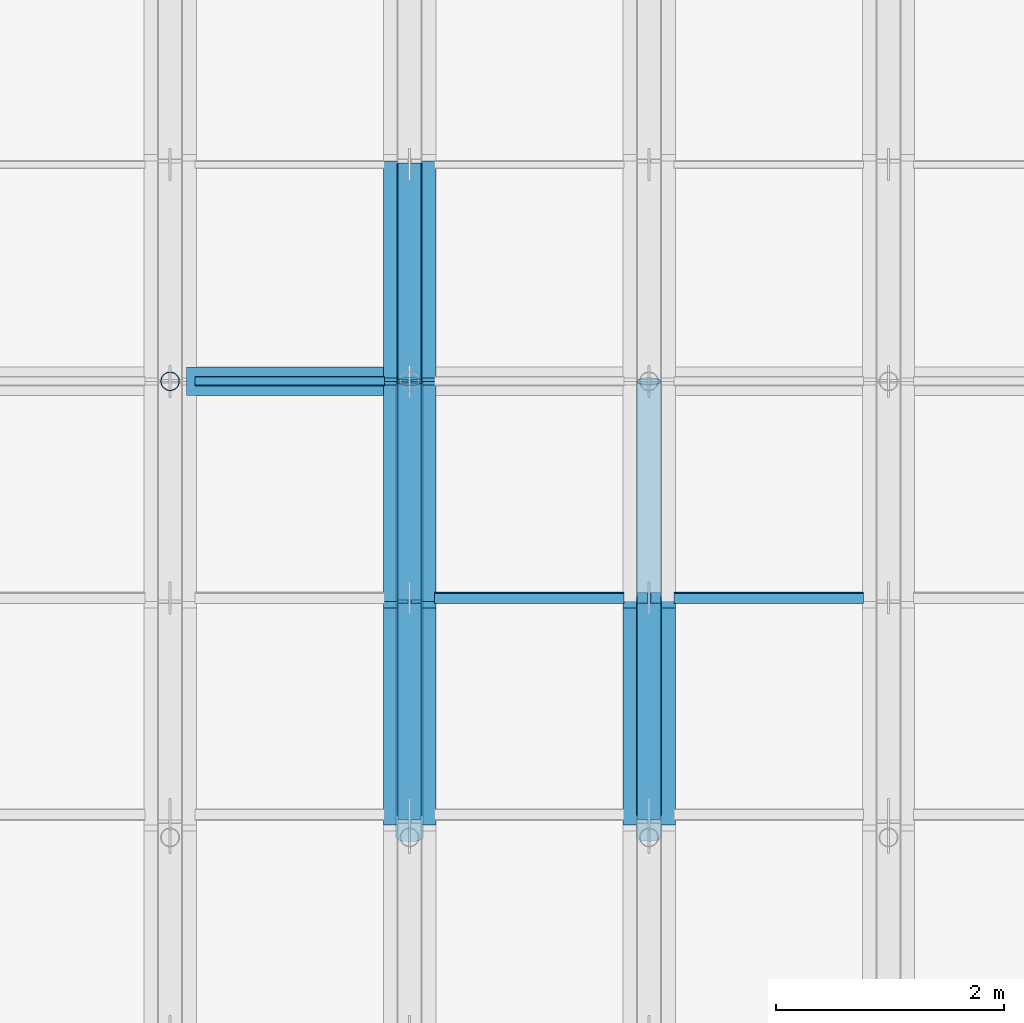
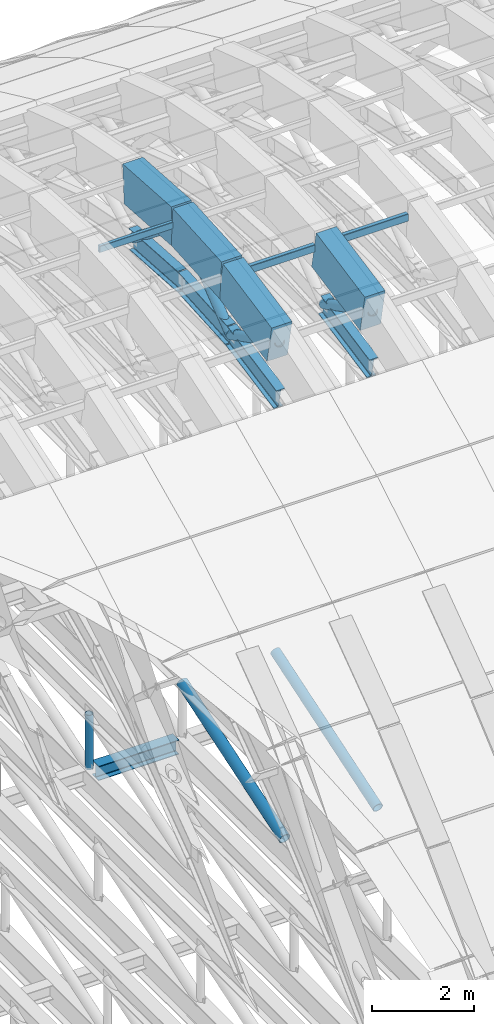
# One storey, part 24 of 67: 10 members, 9 beams.
"""IFC4 building model written with IfcOpenShell, lengths in metres."""

import ifcopenshell
import ifcopenshell.guid

model = None  # the IFC model being written
_history = None  # IfcOwnerHistory: only IFC2X3 demands one
_inside = {}  # id of a spatial element -> (the spatial element, [elements in it])
_under = {}  # id of a project, library or spatial element -> (it, [spatial elements below it])
_declared = {}  # id of a project -> (the project, [libraries it declares])
_typed = {}  # id of a type object -> (the type object, [elements of that type])
_made_of = {}  # id of a material, layer set ... -> (it, [elements and type objects made of it])


def new_model(schema):
    """Start an empty IFC model of exactly this schema.

    Asked for "IFC4X3", IfcOpenShell would pick the latest addendum, in which some entities
    have other attributes; the version numbers below select the first issue.
    IFC2X3 requires an IfcOwnerHistory on every rooted entity: one is made here for all.
    """
    global model, _history
    if schema == "IFC4X3":
        model = ifcopenshell.file(schema_version=(4, 3, 0, 0))
    else:
        model = ifcopenshell.file(schema=schema)
    _inside.clear()
    _under.clear()
    _declared.clear()
    _typed.clear()
    _made_of.clear()
    _history = None
    if model.schema == "IFC2X3":
        org = make("IfcOrganization", Name="unknown")
        user = make(
            "IfcPersonAndOrganization",
            ThePerson=make("IfcPerson", FamilyName="unknown"),
            TheOrganization=org,
        )
        app = make(
            "IfcApplication",
            ApplicationDeveloper=org,
            Version="unknown",
            ApplicationFullName="unknown",
            ApplicationIdentifier="unknown",
        )
        _history = make(
            "IfcOwnerHistory",
            OwningUser=user,
            OwningApplication=app,
            ChangeAction="ADDED",
            CreationDate=0,
        )
    return model


def make(cls, **values):
    """One entity of the class cls with the attributes given. An attribute that is None is left unset."""
    return model.create_entity(
        cls, **{name: value for name, value in values.items() if value is not None}
    )


def rooted(cls, **values):
    """An entity with a GlobalId (a new one), such as an element, a storey or a relation."""
    return make(cls, GlobalId=ifcopenshell.guid.new(), OwnerHistory=_history, **values)


def si_unit(unit_type, name, prefix=None):
    """IfcSIUnit, for example si_unit("LENGTHUNIT", "METRE", prefix="MILLI")."""
    return make("IfcSIUnit", UnitType=unit_type, Prefix=prefix, Name=name)


def assignment(units):
    """IfcUnitAssignment: the units of a project."""
    return None if units is None else make("IfcUnitAssignment", Units=units)


def point(xyz):
    """IfcCartesianPoint."""
    return None if xyz is None else make("IfcCartesianPoint", Coordinates=xyz)


def direction(xyz):
    """IfcDirection."""
    return None if xyz is None else make("IfcDirection", DirectionRatios=xyz)


def frame(location, z_axis=None, x_axis=None):
    """IfcAxis2Placement3D, a coordinate frame: its origin and axes. An axis left out is left unset."""
    return make(
        "IfcAxis2Placement3D",
        Location=point(location),
        Axis=direction(z_axis),
        RefDirection=direction(x_axis),
    )


def frame_2d(location, x_axis=None):
    """IfcAxis2Placement2D, a coordinate frame in the plane: its origin and x axis."""
    return make(
        "IfcAxis2Placement2D", Location=point(location), RefDirection=direction(x_axis)
    )


def origin():
    """The frame at (0, 0, 0) with its axes left unset."""
    return frame((0.0, 0.0, 0.0))


def origin_2d():
    """The frame at (0, 0) in the plane with its x axis left unset."""
    return frame_2d((0.0, 0.0))


def place(relative_to, where):
    """IfcLocalPlacement: puts the frame where relative to a parent placement (None: the world)."""
    return make(
        "IfcLocalPlacement", PlacementRelTo=relative_to, RelativePlacement=where
    )


def context(
    kind, dimensions, precision=None, world=None, true_north=None, identifier=None
):
    """IfcGeometricRepresentationContext, for example the 3D "Model" context."""
    return make(
        "IfcGeometricRepresentationContext",
        ContextIdentifier=identifier,
        ContextType=kind,
        CoordinateSpaceDimension=dimensions,
        Precision=precision,
        WorldCoordinateSystem=world,
        TrueNorth=true_north,
    )


def subcontext(parent, identifier, kind, view, scale=None):
    """IfcGeometricRepresentationSubContext, for example "Body" below "Model"."""
    return make(
        "IfcGeometricRepresentationSubContext",
        ContextIdentifier=identifier,
        ContextType=kind,
        ParentContext=parent,
        TargetScale=scale,
        TargetView=view,
    )


def project(units=None, contexts=None):
    """IfcProject with its units and contexts."""
    return rooted(
        "IfcProject",
        Name="project",
        RepresentationContexts=contexts,
        UnitsInContext=assignment(units),
    )


def spatial(cls, under=None, at=None, **own):
    """A site, building, storey or space (cls), placed at a placement, below another one or the project."""
    s = rooted(cls, ObjectPlacement=at, **own)
    if under is not None:
        _under.setdefault(under.id(), (under, []))[1].append(s)
    return s


def profile(cls, at=None, kind="AREA", **sizes):
    """A parametric profile (cls). Its sizes go by their IFC names, for example OverallWidth=200.0."""
    return make(cls, ProfileType=kind, Position=at, **sizes)


def rectangle(**sizes):
    """IfcRectangleProfileDef."""
    return profile("IfcRectangleProfileDef", **sizes)


def hollow_rectangle(**sizes):
    """IfcRectangleHollowProfileDef."""
    return profile("IfcRectangleHollowProfileDef", **sizes)


def hollow_circle(**sizes):
    """IfcCircleHollowProfileDef."""
    return profile("IfcCircleHollowProfileDef", **sizes)


def i_section(**sizes):
    """IfcIShapeProfileDef."""
    return profile("IfcIShapeProfileDef", **sizes)


def extrude(swept, where, along, depth):
    """IfcExtrudedAreaSolid: the profile swept, set in the frame where, extruded along a direction by depth."""
    return make(
        "IfcExtrudedAreaSolid",
        SweptArea=swept,
        Position=where,
        ExtrudedDirection=direction(along),
        Depth=depth,
    )


def shape(context_of_items, identifier, shape_type, items):
    """IfcShapeRepresentation: the items that make up one representation, for example the "Body"."""
    return make(
        "IfcShapeRepresentation",
        ContextOfItems=context_of_items,
        RepresentationIdentifier=identifier,
        RepresentationType=shape_type,
        Items=items,
    )


def material(Name=None, Category=None):
    """IfcMaterial."""
    return make("IfcMaterial", Name=Name, Category=Category)


def material_profile(
    of_material, cross_section, Name=None, Category=None, Priority=None
):
    """IfcMaterialProfile: a cross section and its material."""
    return make(
        "IfcMaterialProfile",
        Name=Name,
        Material=of_material,
        Profile=cross_section,
        Priority=Priority,
        Category=Category,
    )


def profile_set(profiles, Name=None, composite=None):
    """IfcMaterialProfileSet."""
    return make(
        "IfcMaterialProfileSet",
        Name=Name,
        MaterialProfiles=profiles,
        CompositeProfile=composite,
    )


def made_of(thing, what):
    """Note that an element or type object is made of a material, layer set ...; save() writes the relation."""
    if what is not None:
        _made_of.setdefault(what.id(), (what, []))[1].append(thing)
    return thing


def type_object(cls, material=None, **own):
    """A type object (cls), such as IfcWallType, which elements share."""
    return made_of(rooted(cls, **own), material)


def element(
    cls,
    number,
    at=None,
    inside=None,
    cuts=None,
    type_object=None,
    material=None,
    context=None,
    identifier="Body",
    shape_type=None,
    held_by="IfcProductDefinitionShape",
    body=None,
    shapes=None,
    **own,
):
    """One element of the class cls, such as IfcWall. Its Tag is "e" and its number.

    at: its placement. inside: the storey or other place that contains it. cuts: it is an
    opening in that element (IfcRelVoidsElement). A single representation is given by context,
    identifier, shape_type and body (its items); several are given by shapes. held_by: the class
    of the entity that holds the representations. save() writes the other relations.
    """
    e = rooted(cls, Tag="e%d" % number, ObjectPlacement=at, **own)
    if body is not None:
        shapes = [shape(context, identifier, shape_type, body)]
    if shapes is not None:
        e.Representation = make(held_by, Representations=shapes)
    if inside is not None:
        _inside.setdefault(inside.id(), (inside, []))[1].append(e)
    if cuts is not None:
        rooted(
            "IfcRelVoidsElement", RelatingBuildingElement=cuts, RelatedOpeningElement=e
        )
    if type_object is not None:
        _typed.setdefault(type_object.id(), (type_object, []))[1].append(e)
    return made_of(e, material)


def aggregate(whole, parts):
    """IfcRelAggregates: a whole, such as a stair, and the parts it consists of."""
    return rooted("IfcRelAggregates", RelatingObject=whole, RelatedObjects=parts)


def save(model, path):
    """Write the relations noted so far, then the file.

    IfcRelAggregates (storeys below a building ...), IfcRelContainedInSpatialStructure (elements
    in a storey), IfcRelDefinesByType, IfcRelAssociatesMaterial and IfcRelDeclares: one each for
    every whole, place, type object, material and project.
    """
    for whole, parts in _under.values():
        aggregate(whole, parts)
    for where, things in _inside.values():
        rooted(
            "IfcRelContainedInSpatialStructure",
            RelatedElements=things,
            RelatingStructure=where,
        )
    for kind, things in _typed.values():
        rooted("IfcRelDefinesByType", RelatedObjects=things, RelatingType=kind)
    for what, things in _made_of.values():
        rooted("IfcRelAssociatesMaterial", RelatedObjects=things, RelatingMaterial=what)
    for by, libraries in _declared.values():
        rooted("IfcRelDeclares", RelatingContext=by, RelatedDefinitions=libraries)
    model.write(path)


model = new_model("IFC4")

# Units and contexts
model_context = context("Model", 3, precision=1e-05, world=origin(), true_north=direction((0.0, 1.0)))
body_context = subcontext(model_context, "Body", "Model", "MODEL_VIEW")
ifc_project = project(units=[si_unit("LENGTHUNIT", "METRE"), si_unit("AREAUNIT", "SQUARE_METRE"), si_unit("VOLUMEUNIT", "CUBIC_METRE"), si_unit("PLANEANGLEUNIT", "RADIAN"), si_unit("MASSUNIT", "GRAM", prefix="KILO")], contexts=[model_context])

# Site, building, storey
site_placement = place(None, origin())
site = spatial("IfcSite", under=ifc_project, at=site_placement, CompositionType="ELEMENT")
building_placement = place(site_placement, origin())
building = spatial("IfcBuilding", under=site, at=building_placement, Name="Shengluoqiao Park Theatre", CompositionType="ELEMENT")
storey_placement = place(building_placement, frame((0.0, 0.0, 28.60009765625)))
storey = spatial("IfcBuildingStorey", under=building, at=storey_placement, Name="Roof", CompositionType="ELEMENT", Elevation=28.60009765625)

# Beams
ifc_material_1 = material(Name="Concrete C50", Category="concrete")
ifc_material_profile_1 = material_profile(ifc_material_1, rectangle(XDim=0.4599609375, YDim=0.919921875, at=origin_2d()), Name="RC ARCH 460x920")
ifc_profile_set_1 = profile_set([ifc_material_profile_1], Name="Concrete C50")
beam_type_1 = type_object("IfcBeamType", Name="STR-BM-AR-4609", PredefinedType="BEAM", material=ifc_profile_set_1)
beam_1_placement = place(storey_placement, frame((73.800048828125, 91.199951171875, 2.075927734375), z_axis=(0.0, 0.980788534345, 0.195073962632), x_axis=(-1.0, 0.0, 0.0)))
element("IfcBeam", 1, at=beam_1_placement, inside=storey, type_object=beam_type_1, Name="Barrel-Shell Arch Rib R15-S09", PredefinedType="BEAM", context=body_context, shape_type="SweptSolid", body=[
    extrude(rectangle(XDim=0.4599609375, YDim=0.919921875, at=origin_2d()), origin(), (0.0, 0.0, 1.0), 1.937255859375),
])
for number, where, z_axis, x_axis, name in (
    (2, (73.800048828125, 93.10009765625, 2.453857421875), (0.0, 0.997808922354, 0.066161578506), (-1.0, 0.0, 0.0), "Barrel-Shell Arch Rib R15-S10"),
    (3, (73.800048828125, 95.0, 2.579833984375), (0.0, 0.997808922354, -0.066161578506), (-1.0, 0.0, 0.0), "Barrel-Shell Arch Rib R15-S11"),
):
    element("IfcBeam", number, at=place(storey_placement, frame(where, z_axis=z_axis, x_axis=x_axis)), inside=storey, type_object=beam_type_1, Name=name, PredefinedType="BEAM", context=body_context, shape_type="SweptSolid", body=[
        extrude(rectangle(XDim=0.4599609375, YDim=0.919921875, at=origin_2d()), origin(), (0.0, 0.0, 1.0), 1.904052734375),
    ])
beam_2_placement = place(storey_placement, frame((75.89990234375, 91.199951171875, 2.075927734375), z_axis=(0.0, 0.980788534345, 0.195073962632), x_axis=(-1.0, 0.0, 0.0)))
element("IfcBeam", 4, at=beam_2_placement, inside=storey, type_object=beam_type_1, Name="Barrel-Shell Arch Rib R16-S09", PredefinedType="BEAM", context=body_context, shape_type="SweptSolid", body=[
    extrude(rectangle(XDim=0.4599609375, YDim=0.919921875, at=origin_2d()), origin(), (0.0, 0.0, 1.0), 1.937255859375),
])
ifc_material_2 = material(Name="Steel Q355", Category="steel")
ifc_material_profile_2 = material_profile(ifc_material_2, i_section(OverallWidth=0.25, OverallDepth=0.340087890625, WebThickness=0.009033203125, FlangeThickness=0.013916015625, FilletRadius=0.01611328125, at=origin_2d()), Name="HM 340x250x9x14")
ifc_profile_set_2 = profile_set([ifc_material_profile_2], Name="Steel Q355")
beam_type_2 = type_object("IfcBeamType", Name="STR-BM-G-HM340", PredefinedType="BEAM", material=ifc_profile_set_2)
beam_3_placement = place(storey_placement, frame((71.843994140625, 95.0, -9.77001953125), z_axis=(1.0, 0.0, 0.0), x_axis=(0.0, 1.0, 0.0)))
element("IfcBeam", 5, at=beam_3_placement, inside=storey, type_object=beam_type_2, Name="Auditorium Overhead Catwalk Girder R14-3", PredefinedType="BEAM", context=body_context, shape_type="SweptSolid", body=[
    extrude(i_section(OverallWidth=0.25, OverallDepth=0.340087890625, WebThickness=0.009033203125, FlangeThickness=0.013916015625, FilletRadius=0.01611328125, at=origin_2d()), origin(), (0.0, 0.0, 1.0), 1.81201171875),
])
ifc_material_profile_3 = material_profile(ifc_material_2, i_section(OverallWidth=0.199951171875, OverallDepth=0.5, WebThickness=0.010009765625, FlangeThickness=0.01611328125, FilletRadius=0.01806640625, at=origin_2d()), Name="HN 500x200x10x16")
ifc_profile_set_3 = profile_set([ifc_material_profile_3], Name="Steel Q355")
beam_type_3 = type_object("IfcBeamType", Name="STR-BM-J-HN500", PredefinedType="JOIST", material=ifc_profile_set_3)
beam_4_placement = place(storey_placement, frame((73.800048828125, 91.199951171875, 0.7158203125), z_axis=(0.0, 0.980764417124, 0.19519517951), x_axis=(-1.0, 0.0, 0.0)))
element("IfcBeam", 6, at=beam_4_placement, inside=storey, type_object=beam_type_3, Name="Barrel-Shell Lower Arch Chord R15-S09", PredefinedType="JOIST", context=body_context, shape_type="SweptSolid", body=[
    extrude(i_section(OverallWidth=0.199951171875, OverallDepth=0.5, WebThickness=0.010009765625, FlangeThickness=0.01611328125, FilletRadius=0.01806640625, at=origin_2d()), origin(), (0.0, 0.0, 1.0), 1.9375),
])
for number, where, z_axis, x_axis, name in (
    (7, (73.800048828125, 93.10009765625, 1.093994140625), (0.0, 0.997808922354, 0.066161578506), (-1.0, 0.0, 0.0), "Barrel-Shell Lower Arch Chord R15-S10"),
    (8, (73.800048828125, 95.0, 1.219970703125), (0.0, 0.997808922354, -0.066161578506), (-1.0, 0.0, 0.0), "Barrel-Shell Lower Arch Chord R15-S11"),
):
    element("IfcBeam", number, at=place(storey_placement, frame(where, z_axis=z_axis, x_axis=x_axis)), inside=storey, type_object=beam_type_3, Name=name, PredefinedType="JOIST", context=body_context, shape_type="SweptSolid", body=[
        extrude(i_section(OverallWidth=0.199951171875, OverallDepth=0.5, WebThickness=0.010009765625, FlangeThickness=0.01611328125, FilletRadius=0.01806640625, at=origin_2d()), origin(), (0.0, 0.0, 1.0), 1.904052734375),
    ])
beam_5_placement = place(storey_placement, frame((75.89990234375, 91.199951171875, 0.7158203125), z_axis=(0.0, 0.980764417124, 0.19519517951), x_axis=(-1.0, 0.0, 0.0)))
element("IfcBeam", 9, at=beam_5_placement, inside=storey, type_object=beam_type_3, Name="Barrel-Shell Lower Arch Chord R16-S09", PredefinedType="JOIST", context=body_context, shape_type="SweptSolid", body=[
    extrude(i_section(OverallWidth=0.199951171875, OverallDepth=0.5, WebThickness=0.010009765625, FlangeThickness=0.01611328125, FilletRadius=0.01806640625, at=origin_2d()), origin(), (0.0, 0.0, 1.0), 1.9375),
])

# Members
ifc_material_profile_4 = material_profile(ifc_material_2, hollow_circle(Radius=0.109619140625, WallThickness=0.010009765625, at=origin_2d()), Name="CHS 219x10")
ifc_profile_set_4 = profile_set([ifc_material_profile_4], Name="Steel Q355")
member_type_1 = type_object("IfcMemberType", Name="STR-MEM-BRC-219", PredefinedType="BRACE", material=ifc_profile_set_4)
member_1_placement = place(storey_placement, frame((73.800048828125, 91.199951171875, 2.075927734375), z_axis=(0.0, 0.888389440766, -0.459090624535), x_axis=(-1.0, 0.0, 0.0)))
element("IfcMember", 10, at=member_1_placement, inside=storey, type_object=member_type_1, Name="Barrel-Shell Arch Truss Web 0289", PredefinedType="BRACE", context=body_context, shape_type="SweptSolid", body=[
    extrude(hollow_circle(Radius=0.109619140625, WallThickness=0.010009765625, at=origin_2d()), origin(), (0.0, 0.0, 1.0), 2.138916015625),
])
for number, where, z_axis, x_axis, name in (
    (11, (73.800048828125, 93.10009765625, 1.093994140625), (0.0, 0.787714283449, 0.616040751615), (-1.0, 0.0, 0.0), "Barrel-Shell Arch Truss Web 0290"),
    (12, (73.800048828125, 95.0, 2.579833984375), (0.0, 0.787714283449, -0.616040751615), (-1.0, 0.0, 0.0), "Barrel-Shell Arch Truss Web 0291"),
):
    element("IfcMember", number, at=place(storey_placement, frame(where, z_axis=z_axis, x_axis=x_axis)), inside=storey, type_object=member_type_1, Name=name, PredefinedType="BRACE", context=body_context, shape_type="SweptSolid", body=[
        extrude(hollow_circle(Radius=0.109619140625, WallThickness=0.010009765625, at=origin_2d()), origin(), (0.0, 0.0, 1.0), 2.411865234375),
    ])
member_2_placement = place(storey_placement, frame((75.89990234375, 91.199951171875, 2.075927734375), z_axis=(0.0, 0.888389440766, -0.459090624535), x_axis=(-1.0, 0.0, 0.0)))
element("IfcMember", 13, at=member_2_placement, inside=storey, type_object=member_type_1, Name="Barrel-Shell Arch Truss Web 0309", PredefinedType="BRACE", context=body_context, shape_type="SweptSolid", body=[
    extrude(hollow_circle(Radius=0.109619140625, WallThickness=0.010009765625, at=origin_2d()), origin(), (0.0, 0.0, 1.0), 2.138916015625),
])
member_3_placement = place(storey_placement, frame((75.89990234375, 91.0, -9.650146484375), z_axis=(0.0, 0.951030656115, 0.309096572498), x_axis=(-1.0, 0.0, 0.0)))
element("IfcMember", 14, at=member_3_placement, inside=storey, type_object=member_type_1, Name="Acoustic Tie Truss Diagonal 0115", PredefinedType="BRACE", context=body_context, shape_type="SweptSolid", body=[
    extrude(hollow_circle(Radius=0.109619140625, WallThickness=0.010009765625, at=origin_2d()), origin(), (0.0, 0.0, 1.0), 4.2060546875),
])
ifc_material_profile_5 = material_profile(ifc_material_2, hollow_circle(Radius=0.12255859375, WallThickness=0.010009765625, at=origin_2d()), Name="CHS 245x10")
ifc_profile_set_5 = profile_set([ifc_material_profile_5], Name="Steel Q355")
member_type_2 = type_object("IfcMemberType", Name="STR-MEM-BRC-245", PredefinedType="BRACE", material=ifc_profile_set_5)
member_4_placement = place(storey_placement, frame((73.800048828125, 91.0, -9.650146484375), z_axis=(0.0, 0.951030656115, 0.309096572498), x_axis=(-1.0, 0.0, 0.0)))
element("IfcMember", 15, at=member_4_placement, inside=storey, type_object=member_type_2, Name="Acoustic Tie Truss Diagonal 0098", PredefinedType="BRACE", context=body_context, shape_type="SweptSolid", body=[
    extrude(hollow_circle(Radius=0.12255859375, WallThickness=0.010009765625, at=origin_2d()), origin(), (0.0, 0.0, 1.0), 4.2060546875),
])
ifc_material_profile_6 = material_profile(ifc_material_2, hollow_rectangle(XDim=0.080078125, YDim=0.159912109375, WallThickness=0.006103515625, InnerFilletRadius=0.006103515625, OuterFilletRadius=0.011962890625, at=origin_2d()), Name="RHS 160x80x6")
ifc_profile_set_6 = profile_set([ifc_material_profile_6], Name="Steel Q355")
member_type_3 = type_object("IfcMemberType", Name="STR-MEM-PU-R160", PredefinedType="PURLIN", material=ifc_profile_set_6)
member_5_placement = place(storey_placement, frame((71.919921875, 95.0, 2.639892578125), z_axis=(1.0, 0.0, 0.0), x_axis=(0.0, 1.0, 0.0)))
element("IfcMember", 16, at=member_5_placement, inside=storey, type_object=member_type_3, Name="Shell Longitudinal Purlin 0257", PredefinedType="PURLIN", context=body_context, shape_type="SweptSolid", body=[
    extrude(hollow_rectangle(XDim=0.080078125, YDim=0.159912109375, WallThickness=0.006103515625, InnerFilletRadius=0.006103515625, OuterFilletRadius=0.011962890625, at=origin_2d()), origin(), (0.0, 0.0, 1.0), 1.66015625),
])
ifc_material_profile_7 = material_profile(ifc_material_2, hollow_rectangle(XDim=0.10009765625, YDim=0.179931640625, WallThickness=0.008056640625, InnerFilletRadius=0.008056640625, OuterFilletRadius=0.01611328125, at=origin_2d()), Name="RHS 180x100x8")
ifc_profile_set_7 = profile_set([ifc_material_profile_7], Name="Steel Q355")
member_type_4 = type_object("IfcMemberType", Name="STR-MEM-PU-R180", PredefinedType="PURLIN", material=ifc_profile_set_7)
for number, where, z_axis, x_axis, name in (
    (17, (74.02001953125, 93.10009765625, 2.513916015625), (1.0, 0.0, 0.0), (0.0, 1.0, 0.0), "Shell Longitudinal Purlin 0275"),
    (18, (76.1201171875, 93.10009765625, 2.513916015625), (1.0, 0.0, 0.0), (0.0, 1.0, 0.0), "Shell Longitudinal Purlin 0294"),
):
    element("IfcMember", number, at=place(storey_placement, frame(where, z_axis=z_axis, x_axis=x_axis)), inside=storey, type_object=member_type_4, Name=name, PredefinedType="PURLIN", context=body_context, shape_type="SweptSolid", body=[
        extrude(hollow_rectangle(XDim=0.10009765625, YDim=0.179931640625, WallThickness=0.008056640625, InnerFilletRadius=0.008056640625, OuterFilletRadius=0.01611328125, at=origin_2d()), origin(), (0.0, 0.0, 1.0), 1.659912109375),
    ])
ifc_material_profile_8 = material_profile(ifc_material_2, hollow_circle(Radius=0.083984375, WallThickness=0.008056640625, at=origin_2d()), Name="CHS 168x8")
ifc_profile_set_8 = profile_set([ifc_material_profile_8], Name="Steel Q355")
member_type_5 = type_object("IfcMemberType", Name="STR-MEM-STC-168", PredefinedType="STRUT", material=ifc_profile_set_8)
member_6_placement = place(storey_placement, frame((71.699951171875, 95.0, -9.650146484375), z_axis=(0.0, 0.0, 1.0), x_axis=(1.0, 0.0, 0.0)))
element("IfcMember", 19, at=member_6_placement, inside=storey, type_object=member_type_5, Name="Acoustic Tie Truss Strut 0073", PredefinedType="STRUT", context=body_context, shape_type="SweptSolid", body=[
    extrude(hollow_circle(Radius=0.083984375, WallThickness=0.008056640625, at=origin_2d()), origin(), (0.0, 0.0, 1.0), 1.300048828125),
])

save(model, "model.ifc")
